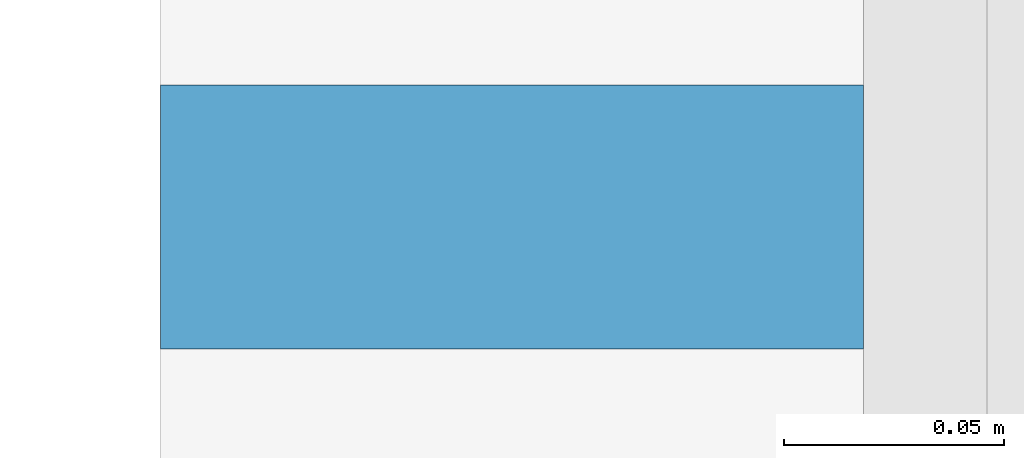
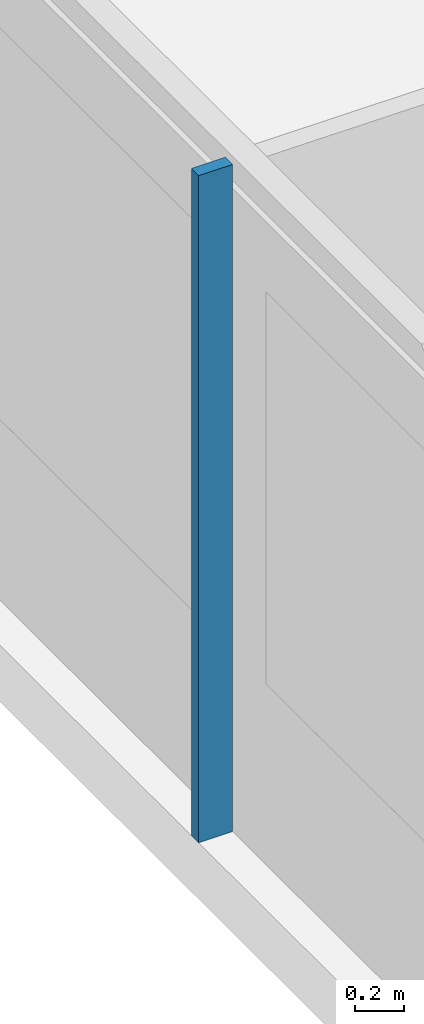
# One storey, part 4 of 30: 1 member, 1 element without a shape of its own.
"""IFC4 building model written with IfcOpenShell, lengths in metres."""

from ifc_helpers import new_model, si_unit, direction, frame, origin, origin_2d, place, context, subcontext, project, spatial, rectangle, extrude, material, material_profile, profile_set, type_object, element, aggregate, save


model = new_model("IFC4")

# Units and contexts
model_context = context("Model", 3, precision=1e-05, world=origin(), true_north=direction((0.0, 1.0)))
body_context = subcontext(model_context, "Body", "Model", "MODEL_VIEW")
ifc_project = project(units=[si_unit("LENGTHUNIT", "METRE"), si_unit("AREAUNIT", "SQUARE_METRE"), si_unit("VOLUMEUNIT", "CUBIC_METRE"), si_unit("PLANEANGLEUNIT", "RADIAN"), si_unit("MASSUNIT", "GRAM", prefix="KILO")], contexts=[model_context])

# Site, building, storey
site_placement = place(None, origin())
site = spatial("IfcSite", under=ifc_project, at=site_placement, CompositionType="ELEMENT")
building_placement = place(site_placement, origin())
building = spatial("IfcBuilding", under=site, at=building_placement, Name="Saffron Gate Tower", CompositionType="ELEMENT")
storey_placement = place(building_placement, frame((0.0, 0.0, 179.85009765625)))
storey = spatial("IfcBuildingStorey", under=building, at=storey_placement, Name="L44", CompositionType="ELEMENT", Elevation=179.85009765625)

# Curtain wall, member
ifc_material = material(Name="Aluminium, bronze anodised", Category="aluminium")
curtain_wall_type = type_object("IfcCurtainWallType", Name="CWS2 curtain wall side facades", PredefinedType="NOTDEFINED", material=ifc_material)
curtain_wall_placement = place(storey_placement, origin())
curtain_wall = element("IfcCurtainWall", 1, at=curtain_wall_placement, inside=storey, type_object=curtain_wall_type, Name="CWS2 run 10", PredefinedType="NOTDEFINED")
ifc_material_profile = material_profile(ifc_material, rectangle(XDim=0.159912109375, YDim=0.06005859375, at=origin_2d()))
ifc_profile_set = profile_set([ifc_material_profile], Name="Aluminium, bronze anodised")
member_type = type_object("IfcMemberType", Name="CWS2 mullion 60x160", PredefinedType="MULLION", material=ifc_profile_set)
member_placement = place(storey_placement, frame((48.080078125, 48.60009765625, 0.0), z_axis=(0.0, 0.0, 1.0), x_axis=(1.0, 0.0, 0.0)))
member = element("IfcMember", 2, at=member_placement, type_object=member_type, Name="CWS2 mullion 4", PredefinedType="MULLION", context=body_context, shape_type="SweptSolid", body=[
    extrude(rectangle(XDim=0.159912109375, YDim=0.06005859375, at=origin_2d()), origin(), (0.0, 0.0, 1.0), 3.31982421875),
])
aggregate(curtain_wall, [member])

save(model, "model.ifc")
